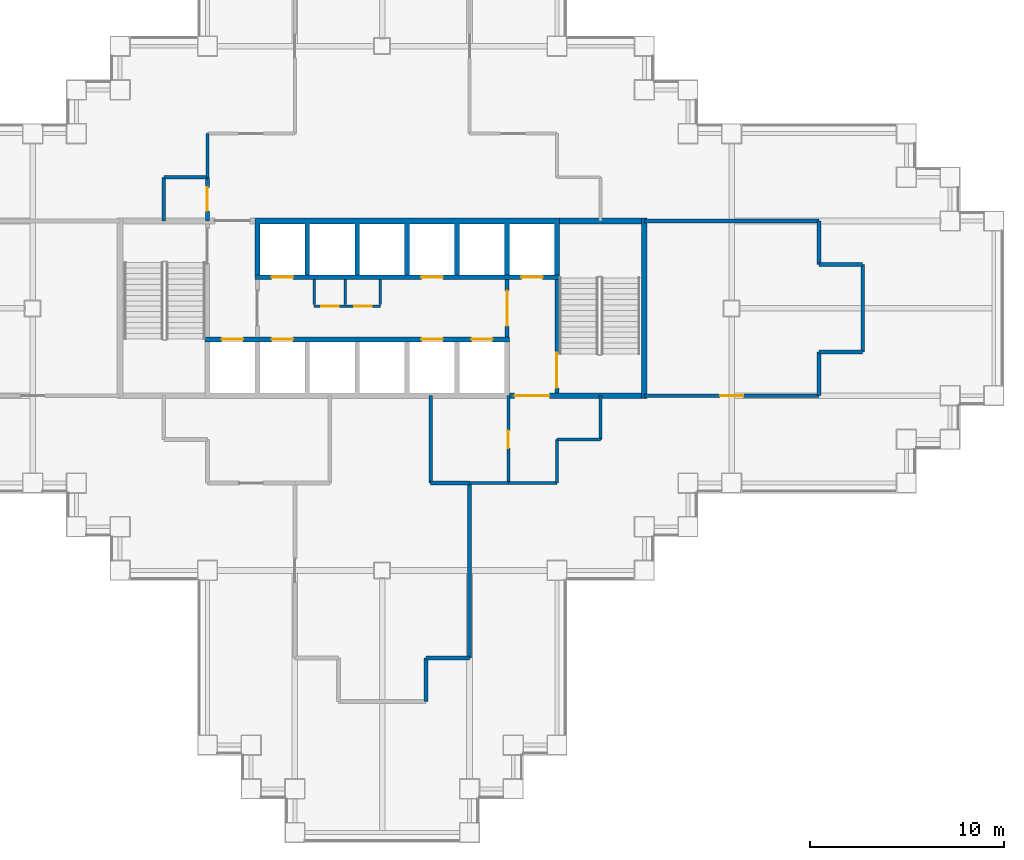
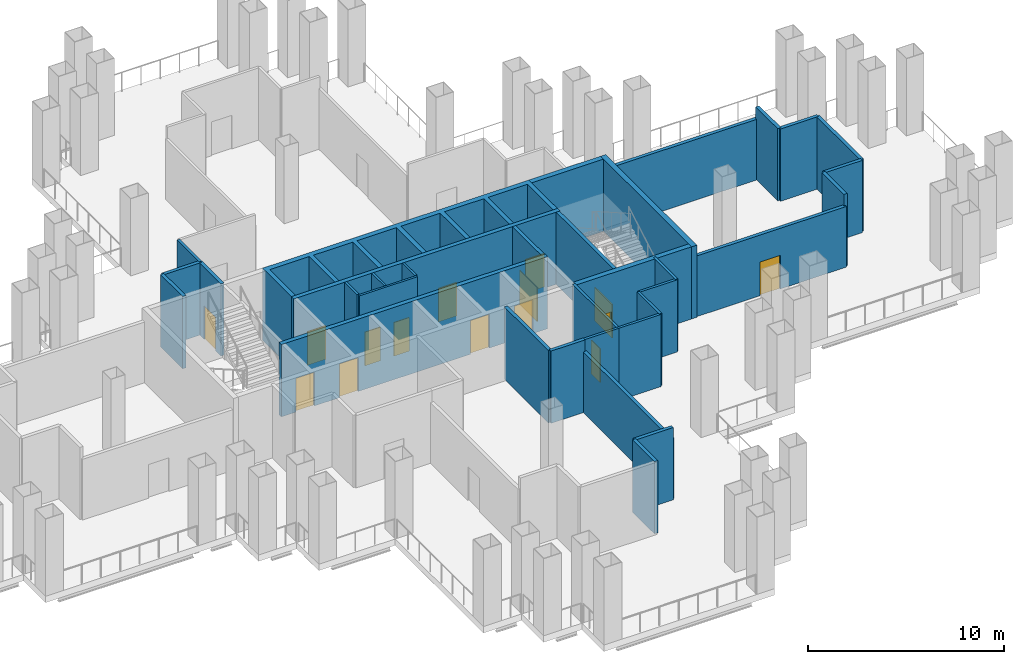
# One storey, part 3 of 10: 34 walls, 15 doors, 15 openings.
"""IFC4 building model written with IfcOpenShell, lengths in metres."""

from ifc_helpers import new_model, si_unit, direction, frame, frame_2d, origin, place, context, subcontext, project, spatial, polyline, rectangle, outline, extrude, material, layer, layer_set, type_object, element, fill, save


model = new_model("IFC4")

# Units and contexts
model_context = context("Model", 3, precision=1e-05, world=origin(), true_north=direction((0.0, 1.0)))
body_context = subcontext(model_context, "Body", "Model", "MODEL_VIEW")
ifc_project = project(units=[si_unit("LENGTHUNIT", "METRE"), si_unit("AREAUNIT", "SQUARE_METRE"), si_unit("VOLUMEUNIT", "CUBIC_METRE"), si_unit("PLANEANGLEUNIT", "RADIAN"), si_unit("MASSUNIT", "GRAM", prefix="KILO")], contexts=[model_context])

# Site, building, storey
site_placement = place(None, origin())
site = spatial("IfcSite", under=ifc_project, at=site_placement, CompositionType="ELEMENT")
building_placement = place(site_placement, origin())
building = spatial("IfcBuilding", under=site, at=building_placement, Name="Caravel Reach Hotel and Residences", CompositionType="ELEMENT")
storey_placement = place(building_placement, frame((0.0, 0.0, 48.0)))
storey = spatial("IfcBuildingStorey", under=building, at=storey_placement, Name="L10", CompositionType="ELEMENT", Elevation=48.0)

# Wall
ifc_material_1 = material(Name="Autoclaved aerated block wall")
ifc_layer_1 = layer(ifc_material_1, 0.199951171875)
ifc_layer_set_1 = layer_set([ifc_layer_1], Name="Compartment wall 200 mm EI 120")
wall_type_1 = type_object("IfcWallType", Name="Compartment wall 200 mm EI 120", PredefinedType="PARTITIONING", material=ifc_layer_set_1)
wall_1_placement = place(storey_placement, frame((34.0, 18.0, 0.0), z_axis=(0.0, 0.0, 1.0), x_axis=(1.0, 0.0, 0.0)))
element("IfcWall", 1, at=wall_1_placement, inside=storey, type_object=wall_type_1, Name="L10 wall w022", PredefinedType="PARTITIONING", context=body_context, shape_type="SweptSolid", body=[
    extrude(rectangle(XDim=2.0, YDim=0.199951171875, at=frame_2d((1.0, 0.0))), origin(), (0.0, 0.0, 1.0), 4.5),
])

# Wall, opening, door
wall_2_placement = place(storey_placement, frame((45.0, 22.5, 0.0), z_axis=(0.0, 0.0, 1.0), x_axis=(1.0, 0.0, 0.0)))
wall_2 = element("IfcWall", 2, at=wall_2_placement, inside=storey, type_object=wall_type_1, Name="L10 wall w025", PredefinedType="PARTITIONING", context=body_context, shape_type="SweptSolid", body=[
    extrude(rectangle(XDim=9.0, YDim=0.199951171875, at=frame_2d((4.5, 0.0))), origin(), (0.0, 0.0, 1.0), 3.780029296875),
])
opening_1_placement = place(wall_2_placement, frame((3.89990234375, 0.0, 0.0)))
opening_1 = element("IfcOpeningElement", 3, at=opening_1_placement, cuts=wall_2, Name="Opening D10-021", PredefinedType="OPENING", context=body_context, shape_type="SweptSolid", body=[
    extrude(rectangle(XDim=1.199951171875, YDim=2.10009765625, at=frame_2d((0.60009765625, 1.050048828125))), frame((0.0, 0.10986328125, 0.0), z_axis=(0.0, -1.0, 0.0), x_axis=(1.0, 0.0, 0.0)), (0.0, 0.0, 1.0), 0.219970703125),
])
ifc_material_2 = material(Name="Steel fire door leaf", Category="steel")
door_type_1 = type_object("IfcDoorType", Name="Plant room door 1200 x 2100 EI 60", OperationType="SINGLE_SWING_LEFT", PredefinedType="DOOR", material=ifc_material_2)
door_1_placement = place(opening_1_placement, origin())
door_1 = element("IfcDoor", 4, at=door_1_placement, inside=storey, type_object=door_type_1, Name="door D10-021", OperationType="SINGLE_SWING_RIGHT", OverallHeight=2.10009765625, OverallWidth=1.199951171875, PredefinedType="DOOR", context=body_context, shape_type="SweptSolid", body=[
    extrude(rectangle(XDim=1.199951171875, YDim=2.10009765625, at=frame_2d((0.60009765625, 1.050048828125))), frame((0.0, 0.02490234375, 0.0), z_axis=(0.0, -1.0, 0.0), x_axis=(1.0, 0.0, 0.0)), (0.0, 0.0, 1.0), 0.050048828125),
])
fill(opening_1, door_1)

# Walls
for number, where, z_axis, x_axis, name in (
    (5, (54.0, 24.75, 0.0), (0.0, 0.0, 1.0), (1.0, 0.0, 0.0), "L10 wall w027"),
    (6, (54.0, 29.25, 0.0), (0.0, 0.0, 1.0), (1.0, 0.0, 0.0), "L10 wall w029"),
):
    element("IfcWall", number, at=place(storey_placement, frame(where, z_axis=z_axis, x_axis=x_axis)), inside=storey, type_object=wall_type_1, Name=name, PredefinedType="PARTITIONING", context=body_context, shape_type="SweptSolid", body=[
        extrude(rectangle(XDim=2.25, YDim=0.199951171875, at=frame_2d((1.125, 0.0))), origin(), (0.0, 0.0, 1.0), 4.5),
    ])
wall_3_placement = place(storey_placement, frame((45.0, 31.5, 0.0), z_axis=(0.0, 0.0, 1.0), x_axis=(1.0, 0.0, 0.0)))
element("IfcWall", 7, at=wall_3_placement, inside=storey, type_object=wall_type_1, Name="L10 wall w031", PredefinedType="PARTITIONING", context=body_context, shape_type="SweptSolid", body=[
    extrude(rectangle(XDim=9.0, YDim=0.199951171875, at=frame_2d((4.5, 0.0))), origin(), (0.0, 0.0, 1.0), 3.780029296875),
])
for number, where, z_axis, x_axis, name in (
    (8, (20.25, 33.75, 0.0), (0.0, 0.0, 1.0), (1.0, 0.0, 0.0), "L10 wall w032"),
    (9, (33.75, 9.0, 0.0), (0.0, 0.0, 1.0), (1.0, 0.0, 0.0), "L10 wall w035"),
    (10, (20.25, 31.5, 0.0), (0.0, 0.0, 1.0), (0.0, 1.0, 0.0), "L10 wall w037"),
):
    element("IfcWall", number, at=place(storey_placement, frame(where, z_axis=z_axis, x_axis=x_axis)), inside=storey, type_object=wall_type_1, Name=name, PredefinedType="PARTITIONING", context=body_context, shape_type="SweptSolid", body=[
        extrude(rectangle(XDim=2.25, YDim=0.199951171875, at=frame_2d((1.125, 0.0))), origin(), (0.0, 0.0, 1.0), 4.5),
    ])

# Wall, opening, door
wall_4_placement = place(storey_placement, frame((22.5, 31.5, 0.0), z_axis=(0.0, 0.0, 1.0), x_axis=(0.0, 1.0, 0.0)))
wall_4 = element("IfcWall", 11, at=wall_4_placement, inside=storey, type_object=wall_type_1, Name="L10 wall w039", PredefinedType="PARTITIONING", context=body_context, shape_type="SweptSolid", body=[
    extrude(rectangle(XDim=2.25, YDim=0.199951171875, at=frame_2d((1.125, 0.0))), origin(), (0.0, 0.0, 1.0), 4.5),
])
opening_2_placement = place(wall_4_placement, frame((0.52490234375, 0.0, 0.0)))
opening_2 = element("IfcOpeningElement", 12, at=opening_2_placement, cuts=wall_4, Name="Opening D10-018", PredefinedType="OPENING", context=body_context, shape_type="SweptSolid", body=[
    extrude(rectangle(XDim=1.199951171875, YDim=2.10009765625, at=frame_2d((0.60009765625, 1.050048828125))), frame((0.0, 0.10986328125, 0.0), z_axis=(0.0, -1.0, 0.0), x_axis=(1.0, 0.0, 0.0)), (0.0, 0.0, 1.0), 0.219970703125),
])
door_2_placement = place(opening_2_placement, origin())
door_2 = element("IfcDoor", 13, at=door_2_placement, inside=storey, type_object=door_type_1, Name="door D10-018", OperationType="SINGLE_SWING_RIGHT", OverallHeight=2.10009765625, OverallWidth=1.199951171875, PredefinedType="DOOR", context=body_context, shape_type="SweptSolid", body=[
    extrude(rectangle(XDim=1.199951171875, YDim=2.10009765625, at=frame_2d((0.60009765625, 1.050048828125))), frame((0.0, 0.02490234375, 0.0), z_axis=(0.0, -1.0, 0.0), x_axis=(1.0, 0.0, 0.0)), (0.0, 0.0, 1.0), 0.050048828125),
])
fill(opening_2, door_2)

# Walls
wall_5_placement = place(storey_placement, frame((33.75, 6.75, 0.0), z_axis=(0.0, 0.0, 1.0), x_axis=(0.0, 1.0, 0.0)))
element("IfcWall", 14, at=wall_5_placement, inside=storey, type_object=wall_type_1, Name="L10 wall w043", PredefinedType="PARTITIONING", context=body_context, shape_type="SweptSolid", body=[
    extrude(rectangle(XDim=2.25, YDim=0.199951171875, at=frame_2d((1.125, 0.0))), origin(), (0.0, 0.0, 1.0), 4.5),
])
wall_6_placement = place(storey_placement, frame((34.0, 18.0, 0.0), z_axis=(0.0, 0.0, 1.0), x_axis=(0.0, 1.0, 0.0)))
element("IfcWall", 15, at=wall_6_placement, inside=storey, type_object=wall_type_1, Name="L10 wall w044", PredefinedType="PARTITIONING", context=body_context, shape_type="SweptSolid", body=[
    extrude(rectangle(XDim=4.5, YDim=0.199951171875, at=frame_2d((2.25, 0.0))), origin(), (0.0, 0.0, 1.0), 4.5),
])
wall_7_placement = place(storey_placement, frame((36.0, 9.0, 0.0), z_axis=(0.0, 0.0, 1.0), x_axis=(0.0, 1.0, 0.0)))
element("IfcWall", 16, at=wall_7_placement, inside=storey, type_object=wall_type_1, Name="L10 wall w045", PredefinedType="PARTITIONING", context=body_context, shape_type="SweptSolid", body=[
    extrude(rectangle(XDim=9.0, YDim=0.199951171875, at=frame_2d((4.5, 0.0))), origin(), (0.0, 0.0, 1.0), 3.780029296875),
])
for number, where, z_axis, x_axis, name in (
    (17, (54.0, 22.5, 0.0), (0.0, 0.0, 1.0), (0.0, 1.0, 0.0), "L10 wall w046"),
    (18, (54.0, 29.25, 0.0), (0.0, 0.0, 1.0), (0.0, 1.0, 0.0), "L10 wall w047"),
):
    element("IfcWall", number, at=place(storey_placement, frame(where, z_axis=z_axis, x_axis=x_axis)), inside=storey, type_object=wall_type_1, Name=name, PredefinedType="PARTITIONING", context=body_context, shape_type="SweptSolid", body=[
        extrude(rectangle(XDim=2.25, YDim=0.199951171875, at=frame_2d((1.125, 0.0))), origin(), (0.0, 0.0, 1.0), 4.5),
    ])
wall_8_placement = place(storey_placement, frame((56.25, 24.75, 0.0), z_axis=(0.0, 0.0, 1.0), x_axis=(0.0, 1.0, 0.0)))
element("IfcWall", 19, at=wall_8_placement, inside=storey, type_object=wall_type_1, Name="L10 wall w048", PredefinedType="PARTITIONING", context=body_context, shape_type="SweptSolid", body=[
    extrude(rectangle(XDim=4.5, YDim=0.199951171875, at=frame_2d((2.25, 0.0))), origin(), (0.0, 0.0, 1.0), 4.5),
])

# Wall, opening, door
ifc_material_3 = material(Name="Concrete C60", Category="concrete")
ifc_layer_2 = layer(ifc_material_3, 0.300048828125)
ifc_layer_set_2 = layer_set([ifc_layer_2], Name="Core wall 300 mm EI 120")
wall_type_2 = type_object("IfcWallType", Name="Core wall 300 mm EI 120", PredefinedType="SHEAR", material=ifc_layer_set_2)
wall_9_placement = place(storey_placement, frame((38.053466796875, 22.5, 0.0), z_axis=(0.0, 0.0, 1.0), x_axis=(1.0, 0.0, 0.0)))
wall_9 = element("IfcWall", 20, at=wall_9_placement, inside=storey, type_object=wall_type_2, Name="L10 core wall S2", PredefinedType="SHEAR", context=body_context, shape_type="SweptSolid", body=[
    extrude(rectangle(XDim=6.796630859375, YDim=0.300048828125, at=frame_2d((3.3984375, 0.0))), origin(), (0.0, 0.0, 1.0), 4.5),
])
opening_3_placement = place(wall_9_placement, frame((0.2607421875, 0.0, 0.0)))
opening_3 = element("IfcOpeningElement", 21, at=opening_3_placement, cuts=wall_9, Name="Opening D10-015", PredefinedType="OPENING", context=body_context, shape_type="SweptSolid", body=[
    extrude(rectangle(XDim=1.800048828125, YDim=2.10009765625, at=frame_2d((0.89990234375, 1.050048828125))), frame((0.0, 0.159912109375, 0.0), z_axis=(0.0, -1.0, 0.0), x_axis=(1.0, 0.0, 0.0)), (0.0, 0.0, 1.0), 0.320068359375),
])
ifc_material_4 = material(Name="Steel fire door leaf", Category="steel")
door_type_2 = type_object("IfcDoorType", Name="Fire lobby door pair 1800 x 2100 EI 90", OperationType="DOUBLE_DOOR_SINGLE_SWING", PredefinedType="DOOR", material=ifc_material_4)
door_3_placement = place(opening_3_placement, origin())
door_3 = element("IfcDoor", 22, at=door_3_placement, inside=storey, type_object=door_type_2, Name="lobby S door pair to corridor", OperationType="DOUBLE_DOOR_SINGLE_SWING", OverallHeight=2.10009765625, OverallWidth=1.800048828125, PredefinedType="DOOR", context=body_context, shape_type="SweptSolid", body=[
    extrude(rectangle(XDim=1.800048828125, YDim=2.10009765625, at=frame_2d((0.89990234375, 1.050048828125))), frame((0.0, 0.02490234375, 0.0), z_axis=(0.0, -1.0, 0.0), x_axis=(1.0, 0.0, 0.0)), (0.0, 0.0, 1.0), 0.050048828125),
])
fill(opening_3, door_3)

# Walls
wall_10_placement = place(storey_placement, frame((40.625, 31.5, 0.0), z_axis=(0.0, 0.0, 1.0), x_axis=(1.0, 0.0, 0.0)))
element("IfcWall", 23, at=wall_10_placement, inside=storey, type_object=wall_type_2, Name="L10 core wall N2", PredefinedType="SHEAR", context=body_context, shape_type="SweptSolid", body=[
    extrude(rectangle(XDim=4.22509765625, YDim=0.300048828125, at=frame_2d((2.112548828125, 0.0))), origin(), (0.0, 0.0, 1.0), 4.5),
])
wall_11_placement = place(storey_placement, frame((45.0, 22.35009765625, 0.0), z_axis=(0.0, 0.0, 1.0), x_axis=(0.0, 1.0, 0.0)))
element("IfcWall", 24, at=wall_11_placement, inside=storey, type_object=wall_type_2, Name="L10 core wall E", PredefinedType="SHEAR", context=body_context, shape_type="SweptSolid", body=[
    extrude(rectangle(XDim=9.2998046875, YDim=0.300048828125, at=frame_2d((4.64990234375, 0.0))), origin(), (0.0, 0.0, 1.0), 4.5),
])
ifc_material_5 = material(Name="Gypsum board on steel stud, fire-rated", Category="steel")
ifc_layer_3 = layer(ifc_material_5, 0.14990234375)
ifc_layer_set_3 = layer_set([ifc_layer_3], Name="Corridor wall 150 mm EI 60")
wall_type_3 = type_object("IfcWallType", Name="Corridor wall 150 mm EI 60", PredefinedType="PARTITIONING", material=ifc_layer_set_3)
wall_12_placement = place(storey_placement, frame((38.0, 18.0, 0.0), z_axis=(0.0, 0.0, 1.0), x_axis=(1.0, 0.0, 0.0)))
element("IfcWall", 25, at=wall_12_placement, inside=storey, type_object=wall_type_3, Name="L10 wall w001", PredefinedType="PARTITIONING", context=body_context, shape_type="SweptSolid", body=[
    extrude(rectangle(XDim=2.5, YDim=0.14990234375, at=frame_2d((1.25, 0.0))), origin(), (0.0, 0.0, 1.0), 4.5),
])
wall_13_placement = place(storey_placement, frame((36.0, 18.0, 0.0), z_axis=(0.0, 0.0, 1.0), x_axis=(1.0, 0.0, 0.0)))
element("IfcWall", 26, at=wall_13_placement, inside=storey, type_object=wall_type_3, Name="L10 wall w002", PredefinedType="PARTITIONING", context=body_context, shape_type="SweptSolid", body=[
    extrude(rectangle(XDim=2.0, YDim=0.14990234375, at=frame_2d((1.0, 0.0))), origin(), (0.0, 0.0, 1.0), 4.5),
])
for number, where, z_axis, x_axis, name in (
    (27, (40.5, 20.25, 0.0), (0.0, 0.0, 1.0), (1.0, 0.0, 0.0), "L10 wall w003"),
    (28, (22.5, 33.75, 0.0), (0.0, 0.0, 1.0), (0.0, 1.0, 0.0), "L10 wall w010"),
):
    element("IfcWall", number, at=place(storey_placement, frame(where, z_axis=z_axis, x_axis=x_axis)), inside=storey, type_object=wall_type_3, Name=name, PredefinedType="PARTITIONING", context=body_context, shape_type="SweptSolid", body=[
        extrude(rectangle(XDim=2.25, YDim=0.14990234375, at=frame_2d((1.125, 0.0))), origin(), (0.0, 0.0, 1.0), 4.5),
    ])

# Wall, opening, door
wall_14_placement = place(storey_placement, frame((38.0, 18.0, 0.0), z_axis=(0.0, 0.0, 1.0), x_axis=(0.0, 1.0, 0.0)))
wall_14 = element("IfcWall", 29, at=wall_14_placement, inside=storey, type_object=wall_type_3, Name="L10 wall w015", PredefinedType="PARTITIONING", context=body_context, shape_type="SweptSolid", body=[
    extrude(rectangle(XDim=4.5, YDim=0.14990234375, at=frame_2d((2.25, 0.0))), origin(), (0.0, 0.0, 1.0), 4.5),
])
opening_4_placement = place(wall_14_placement, frame((1.800048828125, 0.0, 0.0)))
opening_4 = element("IfcOpeningElement", 30, at=opening_4_placement, cuts=wall_14, Name="Opening D10-019", PredefinedType="OPENING", context=body_context, shape_type="SweptSolid", body=[
    extrude(rectangle(XDim=0.89990234375, YDim=2.10009765625, at=frame_2d((0.449951171875, 1.050048828125))), frame((0.0, 0.0849609375, 0.0), z_axis=(0.0, -1.0, 0.0), x_axis=(1.0, 0.0, 0.0)), (0.0, 0.0, 1.0), 0.169921875),
])
ifc_material_6 = material(Name="Timber and steel door leaf", Category="steel")
door_type_3 = type_object("IfcDoorType", Name="Door 900 x 2100 timber", OperationType="SINGLE_SWING_LEFT", PredefinedType="DOOR", material=ifc_material_6)
door_4_placement = place(opening_4_placement, origin())
door_4 = element("IfcDoor", 31, at=door_4_placement, inside=storey, type_object=door_type_3, Name="door D10-019", OperationType="SINGLE_SWING_RIGHT", OverallHeight=2.10009765625, OverallWidth=0.89990234375, PredefinedType="DOOR", context=body_context, shape_type="SweptSolid", body=[
    extrude(rectangle(XDim=0.89990234375, YDim=2.10009765625, at=frame_2d((0.449951171875, 1.050048828125))), frame((0.0, 0.02490234375, 0.0), z_axis=(0.0, -1.0, 0.0), x_axis=(1.0, 0.0, 0.0)), (0.0, 0.0, 1.0), 0.050048828125),
])
fill(opening_4, door_4)

# Walls
for number, where, z_axis, x_axis, name in (
    (32, (40.5, 18.0, 0.0), (0.0, 0.0, 1.0), (0.0, 1.0, 0.0), "L10 wall w017"),
    (33, (42.75, 20.25, 0.0), (0.0, 0.0, 1.0), (0.0, 1.0, 0.0), "L10 wall w019"),
):
    element("IfcWall", number, at=place(storey_placement, frame(where, z_axis=z_axis, x_axis=x_axis)), inside=storey, type_object=wall_type_3, Name=name, PredefinedType="PARTITIONING", context=body_context, shape_type="SweptSolid", body=[
        extrude(rectangle(XDim=2.25, YDim=0.14990234375, at=frame_2d((1.125, 0.0))), origin(), (0.0, 0.0, 1.0), 4.5),
    ])

# Wall, opening, door
ifc_material_7 = material(Name="Autoclaved aerated block wall")
ifc_layer_4 = layer(ifc_material_7, 0.199951171875)
ifc_layer_set_4 = layer_set([ifc_layer_4], Name="Fire lobby wall 200 mm EI 120")
wall_type_4 = type_object("IfcWallType", Name="Fire lobby wall 200 mm EI 120", PredefinedType="PARTITIONING", material=ifc_layer_set_4)
wall_15_placement = place(storey_placement, frame((37.928466796875, 25.52490234375, 0.0), z_axis=(0.0, 0.0, 1.0), x_axis=(0.0, 1.0, 0.0)))
wall_15 = element("IfcWall", 34, at=wall_15_placement, inside=storey, type_object=wall_type_4, Name="L10 lobby E wall", PredefinedType="PARTITIONING", context=body_context, shape_type="SweptSolid", body=[
    extrude(rectangle(XDim=2.9501953125, YDim=0.199951171875, at=frame_2d((1.47509765625, 0.0))), origin(), (0.0, 0.0, 1.0), 4.5),
])
opening_5_placement = place(wall_15_placement, frame((0.574951171875, 0.0, 0.0)))
opening_5 = element("IfcOpeningElement", 35, at=opening_5_placement, cuts=wall_15, Name="Opening D10-013", PredefinedType="OPENING", context=body_context, shape_type="SweptSolid", body=[
    extrude(rectangle(XDim=1.800048828125, YDim=2.10009765625, at=frame_2d((0.89990234375, 1.050048828125))), frame((0.0, 0.10986328125, 0.0), z_axis=(0.0, -1.0, 0.0), x_axis=(1.0, 0.0, 0.0)), (0.0, 0.0, 1.0), 0.219970703125),
])
door_5_placement = place(opening_5_placement, origin())
door_5 = element("IfcDoor", 36, at=door_5_placement, inside=storey, type_object=door_type_2, Name="lobby E door pair", OperationType="DOUBLE_DOOR_SINGLE_SWING", OverallHeight=2.10009765625, OverallWidth=1.800048828125, PredefinedType="DOOR", context=body_context, shape_type="SweptSolid", body=[
    extrude(rectangle(XDim=1.800048828125, YDim=2.10009765625, at=frame_2d((0.89990234375, 1.050048828125))), frame((0.0, 0.02490234375, 0.0), z_axis=(0.0, -1.0, 0.0), x_axis=(1.0, 0.0, 0.0)), (0.0, 0.0, 1.0), 0.050048828125),
])
fill(opening_5, door_5)

# Wall, openings, doors
ifc_material_8 = material(Name="Autoclaved aerated block wall")
ifc_layer_5 = layer(ifc_material_8, 0.125)
ifc_layer_set_5 = layer_set([ifc_layer_5], Name="Riser wall 125 mm EI 60")
wall_type_5 = type_object("IfcWallType", Name="Riser wall 125 mm EI 60", PredefinedType="PARTITIONING", material=ifc_layer_set_5)
wall_16_placement = place(storey_placement, frame((28.0, 27.10009765625, 0.0), z_axis=(0.0, 0.0, 1.0), x_axis=(1.0, 0.0, 0.0)))
wall_16 = element("IfcWall", 37, at=wall_16_placement, inside=storey, type_object=wall_type_5, Name="L10 service room wall N1", PredefinedType="PARTITIONING", context=body_context, shape_type="SweptSolid", body=[
    extrude(rectangle(XDim=3.39990234375, YDim=0.125, at=frame_2d((1.699951171875, 0.0))), origin(), (0.0, 0.0, 1.0), 4.5),
])
opening_6_placement = place(wall_16_placement, frame((0.35009765625, 0.0, 0.0)))
opening_6 = element("IfcOpeningElement", 38, at=opening_6_placement, cuts=wall_16, Name="Opening D10-008", PredefinedType="OPENING", context=body_context, shape_type="SweptSolid", body=[
    extrude(rectangle(XDim=0.89990234375, YDim=2.10009765625, at=frame_2d((0.449951171875, 1.050048828125))), frame((0.0, 0.072509765625, 0.0), z_axis=(0.0, -1.0, 0.0), x_axis=(1.0, 0.0, 0.0)), (0.0, 0.0, 1.0), 0.14501953125),
])
opening_7_placement = place(wall_16_placement, frame((2.050048828125, 0.0, 0.0)))
opening_7 = element("IfcOpeningElement", 39, at=opening_7_placement, cuts=wall_16, Name="Opening D10-009", PredefinedType="OPENING", context=body_context, shape_type="SweptSolid", body=[
    extrude(rectangle(XDim=0.89990234375, YDim=2.10009765625, at=frame_2d((0.449951171875, 1.050048828125))), frame((0.0, 0.072509765625, 0.0), z_axis=(0.0, -1.0, 0.0), x_axis=(1.0, 0.0, 0.0)), (0.0, 0.0, 1.0), 0.14501953125),
])
ifc_material_9 = material(Name="Steel fire door leaf", Category="steel")
door_type_4 = type_object("IfcDoorType", Name="Riser door 900 x 2100 EI 60", OperationType="SINGLE_SWING_LEFT", PredefinedType="DOOR", material=ifc_material_9)
door_6_placement = place(opening_6_placement, origin())
door_6 = element("IfcDoor", 40, at=door_6_placement, inside=storey, type_object=door_type_4, Name="Linen store door", OperationType="SINGLE_SWING_LEFT", OverallHeight=2.10009765625, OverallWidth=0.89990234375, PredefinedType="DOOR", context=body_context, shape_type="SweptSolid", body=[
    extrude(rectangle(XDim=0.89990234375, YDim=2.10009765625, at=frame_2d((0.449951171875, 1.050048828125))), frame((0.0, 0.02490234375, 0.0), z_axis=(0.0, -1.0, 0.0), x_axis=(1.0, 0.0, 0.0)), (0.0, 0.0, 1.0), 0.050048828125),
])
fill(opening_6, door_6)
door_7_placement = place(opening_7_placement, origin())
door_7 = element("IfcDoor", 41, at=door_7_placement, inside=storey, type_object=door_type_4, Name="Floor pantry door", OperationType="SINGLE_SWING_LEFT", OverallHeight=2.10009765625, OverallWidth=0.89990234375, PredefinedType="DOOR", context=body_context, shape_type="SweptSolid", body=[
    extrude(rectangle(XDim=0.89990234375, YDim=2.10009765625, at=frame_2d((0.449951171875, 1.050048828125))), frame((0.0, 0.02490234375, 0.0), z_axis=(0.0, -1.0, 0.0), x_axis=(1.0, 0.0, 0.0)), (0.0, 0.0, 1.0), 0.050048828125),
])
fill(opening_7, door_7)

# Walls
for number, where, z_axis, x_axis, name in (
    (42, (28.0, 28.47509765625, 0.0), (0.0, 0.0, 1.0), (0.0, -1.0, 0.0), "L10 service room partition N1"),
    (43, (29.60009765625, 28.47509765625, 0.0), (0.0, 0.0, 1.0), (0.0, -1.0, 0.0), "L10 service room partition N1"),
    (44, (31.39990234375, 28.47509765625, 0.0), (0.0, 0.0, 1.0), (0.0, -1.0, 0.0), "L10 service room partition N1"),
):
    element("IfcWall", number, at=place(storey_placement, frame(where, z_axis=z_axis, x_axis=x_axis)), inside=storey, type_object=wall_type_5, Name=name, PredefinedType="PARTITIONING", context=body_context, shape_type="SweptSolid", body=[
        extrude(rectangle(XDim=1.275146484375, YDim=0.125, at=frame_2d((0.6376953125, 0.0))), origin(), (0.0, 0.0, 1.0), 4.5),
    ])
ifc_material_10 = material(Name="Concrete C60", Category="concrete")
ifc_layer_6 = layer(ifc_material_10, 0.25)
ifc_layer_set_6 = layer_set([ifc_layer_6], Name="Shaft wall 250 mm EI 120")
wall_type_6 = type_object("IfcWallType", Name="Shaft wall 250 mm EI 120", PredefinedType="SHEAR", material=ifc_layer_set_6)
wall_17_placement = place(storey_placement, origin())
element("IfcWall", 45, at=wall_17_placement, inside=storey, type_object=wall_type_6, Name="L10 lift shaft wall N1", PredefinedType="SHEAR", context=body_context, shape_type="SweptSolid", body=[
    extrude(outline(polyline([(24.946533203125, 28.72509765625), (25.196533203125, 28.72509765625), (25.196533203125, 31.35009765625), (27.517822265625, 31.35009765625), (27.517822265625, 28.72509765625), (27.767822265625, 28.72509765625), (27.767822265625, 31.35009765625), (30.08935546875, 31.35009765625), (30.08935546875, 28.72509765625), (30.33935546875, 28.72509765625), (30.33935546875, 31.35009765625), (32.66064453125, 31.35009765625), (32.66064453125, 28.72509765625), (32.91064453125, 28.72509765625), (32.91064453125, 31.35009765625), (35.232177734375, 31.35009765625), (35.232177734375, 28.72509765625), (35.482177734375, 28.72509765625), (35.482177734375, 31.35009765625), (37.803466796875, 31.35009765625), (37.803466796875, 28.72509765625), (38.053466796875, 28.72509765625), (38.053466796875, 31.35009765625), (40.375, 31.35009765625), (40.375, 28.72509765625), (40.625, 28.72509765625), (40.625, 31.64990234375), (24.946533203125, 31.64990234375), (24.946533203125, 28.72509765625)])), origin(), (0.0, 0.0, 1.0), 4.5),
])

# Wall, openings, doors
wall_18_placement = place(storey_placement, frame((22.375, 25.39990234375, 0.0), z_axis=(0.0, 0.0, 1.0), x_axis=(1.0, 0.0, 0.0)))
wall_18 = element("IfcWall", 46, at=wall_18_placement, inside=storey, type_object=wall_type_6, Name="L10 lobby wall S1", PredefinedType="SHEAR", context=body_context, shape_type="SweptSolid", body=[
    extrude(rectangle(XDim=15.678466796875, YDim=0.25, at=frame_2d((7.83935546875, 0.0))), origin(), (0.0, 0.0, 1.0), 4.5),
])
opening_8_placement = place(wall_18_placement, frame((3.43212890625, 0.0, 0.0)))
opening_8 = element("IfcOpeningElement", 47, at=opening_8_placement, cuts=wall_18, Name="Opening D10-001", PredefinedType="OPENING", context=body_context, shape_type="SweptSolid", body=[
    extrude(rectangle(XDim=1.10009765625, YDim=2.10009765625, at=frame_2d((0.550048828125, 1.050048828125))), frame((0.0, 0.135009765625, 0.0), z_axis=(0.0, -1.0, 0.0), x_axis=(1.0, 0.0, 0.0)), (0.0, 0.0, 1.0), 0.27001953125),
])
opening_9_placement = place(wall_18_placement, frame((11.146484375, 0.0, 0.0)))
opening_9 = element("IfcOpeningElement", 48, at=opening_9_placement, cuts=wall_18, Name="Opening D10-002", PredefinedType="OPENING", context=body_context, shape_type="SweptSolid", body=[
    extrude(rectangle(XDim=1.10009765625, YDim=2.10009765625, at=frame_2d((0.550048828125, 1.050048828125))), frame((0.0, 0.135009765625, 0.0), z_axis=(0.0, -1.0, 0.0), x_axis=(1.0, 0.0, 0.0)), (0.0, 0.0, 1.0), 0.27001953125),
])
opening_10_placement = place(wall_18_placement, frame((13.718017578125, 0.0, 0.0)))
opening_10 = element("IfcOpeningElement", 49, at=opening_10_placement, cuts=wall_18, Name="Opening D10-003", PredefinedType="OPENING", context=body_context, shape_type="SweptSolid", body=[
    extrude(rectangle(XDim=1.10009765625, YDim=2.10009765625, at=frame_2d((0.550048828125, 1.050048828125))), frame((0.0, 0.135009765625, 0.0), z_axis=(0.0, -1.0, 0.0), x_axis=(1.0, 0.0, 0.0)), (0.0, 0.0, 1.0), 0.27001953125),
])
opening_11_placement = place(wall_18_placement, frame((0.860595703125, 0.0, 0.0)))
opening_11 = element("IfcOpeningElement", 50, at=opening_11_placement, cuts=wall_18, Name="Opening D10-006", PredefinedType="OPENING", context=body_context, shape_type="SweptSolid", body=[
    extrude(rectangle(XDim=1.10009765625, YDim=2.10009765625, at=frame_2d((0.550048828125, 1.050048828125))), frame((0.0, 0.135009765625, 0.0), z_axis=(0.0, -1.0, 0.0), x_axis=(1.0, 0.0, 0.0)), (0.0, 0.0, 1.0), 0.27001953125),
])
ifc_material_11 = material(Name="Stainless steel landing door", Category="steel")
door_type_5 = type_object("IfcDoorType", Name="Landing door LD 1100 x 2100 sliding", OperationType="DOUBLE_DOOR_SLIDING", PredefinedType="DOOR", material=ifc_material_11)
door_8_placement = place(opening_8_placement, origin())
door_8 = element("IfcDoor", 51, at=door_8_placement, inside=storey, type_object=door_type_5, Name="LP1 landing door", OperationType="DOUBLE_DOOR_SLIDING", OverallHeight=2.10009765625, OverallWidth=1.10009765625, PredefinedType="DOOR", context=body_context, shape_type="SweptSolid", body=[
    extrude(rectangle(XDim=1.10009765625, YDim=2.10009765625, at=frame_2d((0.550048828125, 1.050048828125))), frame((0.0, 0.02490234375, 0.0), z_axis=(0.0, -1.0, 0.0), x_axis=(1.0, 0.0, 0.0)), (0.0, 0.0, 1.0), 0.050048828125),
])
fill(opening_8, door_8)
door_9_placement = place(opening_9_placement, origin())
door_9 = element("IfcDoor", 52, at=door_9_placement, inside=storey, type_object=door_type_5, Name="LP2 landing door", OperationType="DOUBLE_DOOR_SLIDING", OverallHeight=2.10009765625, OverallWidth=1.10009765625, PredefinedType="DOOR", context=body_context, shape_type="SweptSolid", body=[
    extrude(rectangle(XDim=1.10009765625, YDim=2.10009765625, at=frame_2d((0.550048828125, 1.050048828125))), frame((0.0, 0.02490234375, 0.0), z_axis=(0.0, -1.0, 0.0), x_axis=(1.0, 0.0, 0.0)), (0.0, 0.0, 1.0), 0.050048828125),
])
fill(opening_9, door_9)
door_10_placement = place(opening_10_placement, origin())
door_10 = element("IfcDoor", 53, at=door_10_placement, inside=storey, type_object=door_type_5, Name="LP3 landing door", OperationType="DOUBLE_DOOR_SLIDING", OverallHeight=2.10009765625, OverallWidth=1.10009765625, PredefinedType="DOOR", context=body_context, shape_type="SweptSolid", body=[
    extrude(rectangle(XDim=1.10009765625, YDim=2.10009765625, at=frame_2d((0.550048828125, 1.050048828125))), frame((0.0, 0.02490234375, 0.0), z_axis=(0.0, -1.0, 0.0), x_axis=(1.0, 0.0, 0.0)), (0.0, 0.0, 1.0), 0.050048828125),
])
fill(opening_10, door_10)
door_11_placement = place(opening_11_placement, origin())
door_11 = element("IfcDoor", 54, at=door_11_placement, inside=storey, type_object=door_type_5, Name="FL1 landing door", OperationType="DOUBLE_DOOR_SLIDING", OverallHeight=2.10009765625, OverallWidth=1.10009765625, PredefinedType="DOOR", context=body_context, shape_type="SweptSolid", body=[
    extrude(rectangle(XDim=1.10009765625, YDim=2.10009765625, at=frame_2d((0.550048828125, 1.050048828125))), frame((0.0, 0.02490234375, 0.0), z_axis=(0.0, -1.0, 0.0), x_axis=(1.0, 0.0, 0.0)), (0.0, 0.0, 1.0), 0.050048828125),
])
fill(opening_11, door_11)

wall_19_placement = place(storey_placement, frame((24.946533203125, 28.60009765625, 0.0), z_axis=(0.0, 0.0, 1.0), x_axis=(1.0, 0.0, 0.0)))
wall_19 = element("IfcWall", 55, at=wall_19_placement, inside=storey, type_object=wall_type_6, Name="L10 lobby wall N1", PredefinedType="SHEAR", context=body_context, shape_type="SweptSolid", body=[
    extrude(rectangle(XDim=15.678466796875, YDim=0.25, at=frame_2d((7.83935546875, 0.0))), origin(), (0.0, 0.0, 1.0), 4.5),
])
opening_12_placement = place(wall_19_placement, frame((0.860595703125, 0.0, 0.0)))
opening_12 = element("IfcOpeningElement", 56, at=opening_12_placement, cuts=wall_19, Name="Opening D10-004", PredefinedType="OPENING", context=body_context, shape_type="SweptSolid", body=[
    extrude(rectangle(XDim=1.10009765625, YDim=2.10009765625, at=frame_2d((0.550048828125, 1.050048828125))), frame((0.0, 0.135009765625, 0.0), z_axis=(0.0, -1.0, 0.0), x_axis=(1.0, 0.0, 0.0)), (0.0, 0.0, 1.0), 0.27001953125),
])
opening_13_placement = place(wall_19_placement, frame((8.574951171875, 0.0, 0.0)))
opening_13 = element("IfcOpeningElement", 57, at=opening_13_placement, cuts=wall_19, Name="Opening D10-005", PredefinedType="OPENING", context=body_context, shape_type="SweptSolid", body=[
    extrude(rectangle(XDim=1.10009765625, YDim=2.10009765625, at=frame_2d((0.550048828125, 1.050048828125))), frame((0.0, 0.135009765625, 0.0), z_axis=(0.0, -1.0, 0.0), x_axis=(1.0, 0.0, 0.0)), (0.0, 0.0, 1.0), 0.27001953125),
])
opening_14_placement = place(wall_19_placement, frame((13.718017578125, 0.0, 0.0)))
opening_14 = element("IfcOpeningElement", 58, at=opening_14_placement, cuts=wall_19, Name="Opening D10-007", PredefinedType="OPENING", context=body_context, shape_type="SweptSolid", body=[
    extrude(rectangle(XDim=1.10009765625, YDim=2.10009765625, at=frame_2d((0.550048828125, 1.050048828125))), frame((0.0, 0.135009765625, 0.0), z_axis=(0.0, -1.0, 0.0), x_axis=(1.0, 0.0, 0.0)), (0.0, 0.0, 1.0), 0.27001953125),
])
door_12_placement = place(opening_12_placement, origin())
door_12 = element("IfcDoor", 59, at=door_12_placement, inside=storey, type_object=door_type_5, Name="LP4 landing door", OperationType="DOUBLE_DOOR_SLIDING", OverallHeight=2.10009765625, OverallWidth=1.10009765625, PredefinedType="DOOR", context=body_context, shape_type="SweptSolid", body=[
    extrude(rectangle(XDim=1.10009765625, YDim=2.10009765625, at=frame_2d((0.550048828125, 1.050048828125))), frame((0.0, 0.02490234375, 0.0), z_axis=(0.0, -1.0, 0.0), x_axis=(1.0, 0.0, 0.0)), (0.0, 0.0, 1.0), 0.050048828125),
])
fill(opening_12, door_12)
door_13_placement = place(opening_13_placement, origin())
door_13 = element("IfcDoor", 60, at=door_13_placement, inside=storey, type_object=door_type_5, Name="LP5 landing door", OperationType="DOUBLE_DOOR_SLIDING", OverallHeight=2.10009765625, OverallWidth=1.10009765625, PredefinedType="DOOR", context=body_context, shape_type="SweptSolid", body=[
    extrude(rectangle(XDim=1.10009765625, YDim=2.10009765625, at=frame_2d((0.550048828125, 1.050048828125))), frame((0.0, 0.02490234375, 0.0), z_axis=(0.0, -1.0, 0.0), x_axis=(1.0, 0.0, 0.0)), (0.0, 0.0, 1.0), 0.050048828125),
])
fill(opening_13, door_13)
door_14_placement = place(opening_14_placement, origin())
door_14 = element("IfcDoor", 61, at=door_14_placement, inside=storey, type_object=door_type_5, Name="FL2 landing door", OperationType="DOUBLE_DOOR_SLIDING", OverallHeight=2.10009765625, OverallWidth=1.10009765625, PredefinedType="DOOR", context=body_context, shape_type="SweptSolid", body=[
    extrude(rectangle(XDim=1.10009765625, YDim=2.10009765625, at=frame_2d((0.550048828125, 1.050048828125))), frame((0.0, 0.02490234375, 0.0), z_axis=(0.0, -1.0, 0.0), x_axis=(1.0, 0.0, 0.0)), (0.0, 0.0, 1.0), 0.050048828125),
])
fill(opening_14, door_14)

# Wall, opening, door
ifc_material_12 = material(Name="Concrete C60", Category="concrete")
ifc_layer_7 = layer(ifc_material_12, 0.199951171875)
ifc_layer_set_7 = layer_set([ifc_layer_7], Name="Stair enclosure wall 200 mm EI 120")
wall_type_7 = type_object("IfcWallType", Name="Stair enclosure wall 200 mm EI 120", PredefinedType="SHEAR", material=ifc_layer_set_7)
wall_20_placement = place(storey_placement, frame((40.5, 22.64990234375, 0.0), z_axis=(0.0, 0.0, 1.0), x_axis=(0.0, 1.0, 0.0)))
wall_20 = element("IfcWall", 62, at=wall_20_placement, inside=storey, type_object=wall_type_7, Name="L10 stair B wall", PredefinedType="SHEAR", context=body_context, shape_type="SweptSolid", body=[
    extrude(rectangle(XDim=5.8251953125, YDim=0.199951171875, at=frame_2d((2.91259765625, 0.0))), origin(), (0.0, 0.0, 1.0), 4.5),
])
opening_15_placement = place(wall_20_placement, frame((0.25, 0.0, 0.0)))
opening_15 = element("IfcOpeningElement", 63, at=opening_15_placement, cuts=wall_20, Name="Opening D10-011", PredefinedType="OPENING", context=body_context, shape_type="SweptSolid", body=[
    extrude(rectangle(XDim=1.800048828125, YDim=2.10009765625, at=frame_2d((0.89990234375, 1.050048828125))), frame((0.0, 0.10986328125, 0.0), z_axis=(0.0, -1.0, 0.0), x_axis=(1.0, 0.0, 0.0)), (0.0, 0.0, 1.0), 0.219970703125),
])
ifc_material_13 = material(Name="Steel fire door leaf", Category="steel")
door_type_6 = type_object("IfcDoorType", Name="Stair door pair 1800 x 2100 EI 90", OperationType="DOUBLE_DOOR_SINGLE_SWING", PredefinedType="DOOR", material=ifc_material_13)
door_15_placement = place(opening_15_placement, origin())
door_15 = element("IfcDoor", 64, at=door_15_placement, inside=storey, type_object=door_type_6, Name="stair B door pair", OperationType="DOUBLE_DOOR_SINGLE_SWING", OverallHeight=2.10009765625, OverallWidth=1.800048828125, PredefinedType="DOOR", context=body_context, shape_type="SweptSolid", body=[
    extrude(rectangle(XDim=1.800048828125, YDim=2.10009765625, at=frame_2d((0.89990234375, 1.050048828125))), frame((0.0, 0.02490234375, 0.0), z_axis=(0.0, -1.0, 0.0), x_axis=(1.0, 0.0, 0.0)), (0.0, 0.0, 1.0), 0.050048828125),
])
fill(opening_15, door_15)

save(model, "model.ifc")
